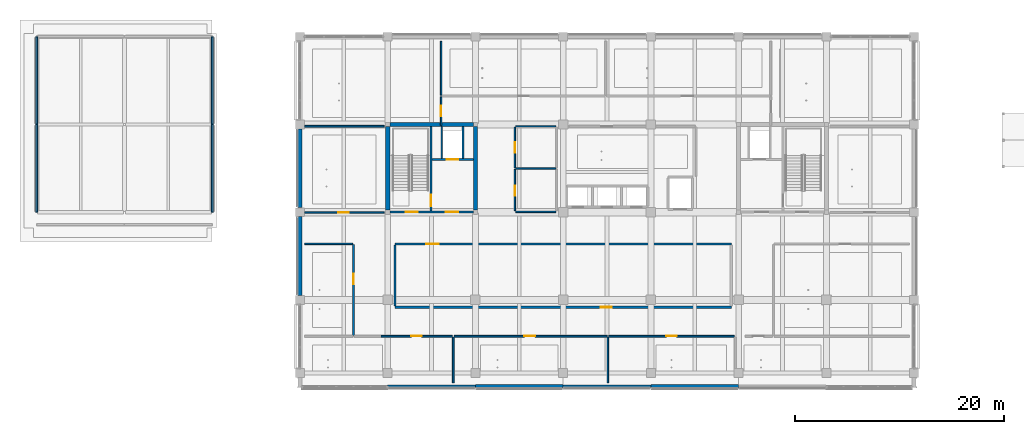
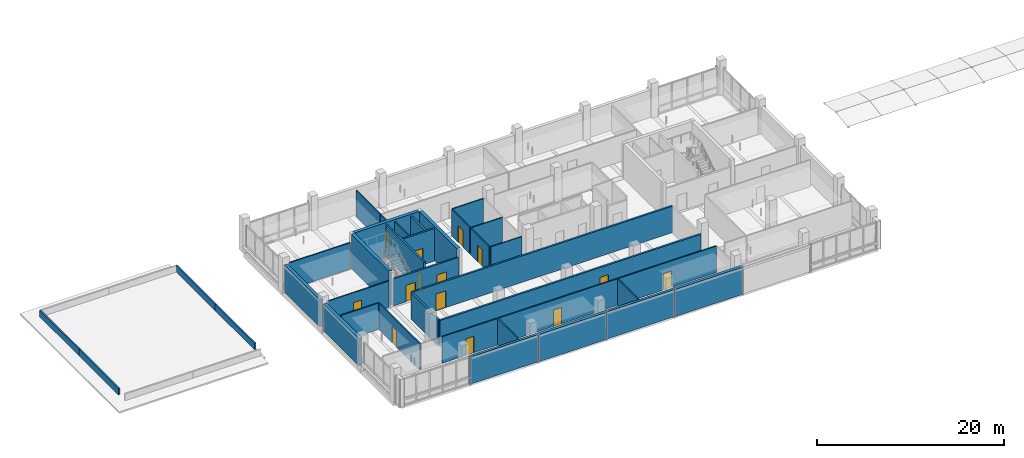
# One storey, part 12 of 39: 37 walls, 14 doors, 14 openings.
"""IFC4 building model written with IfcOpenShell, lengths in metres."""

from ifc_helpers import new_model, si_unit, direction, frame, frame_2d, origin, place, context, subcontext, project, spatial, rectangle, extrude, material, layer, layer_set, type_object, element, fill, save


model = new_model("IFC4")

# Units and contexts
model_context = context("Model", 3, precision=1e-05, world=origin(), true_north=direction((0.0, 1.0)))
body_context = subcontext(model_context, "Body", "Model", "MODEL_VIEW")
ifc_project = project(units=[si_unit("LENGTHUNIT", "METRE"), si_unit("AREAUNIT", "SQUARE_METRE"), si_unit("VOLUMEUNIT", "CUBIC_METRE"), si_unit("PLANEANGLEUNIT", "RADIAN"), si_unit("MASSUNIT", "GRAM", prefix="KILO")], contexts=[model_context])

# Site, building, storey
site_placement = place(None, origin())
site = spatial("IfcSite", under=ifc_project, at=site_placement, CompositionType="ELEMENT")
building_placement = place(site_placement, origin())
building = spatial("IfcBuilding", under=site, at=building_placement, Name="Telukmera Botanical Conservatory", CompositionType="ELEMENT")
storey_placement = place(building_placement, frame((0.0, 0.0, 19.5)))
storey = spatial("IfcBuildingStorey", under=building, at=storey_placement, Name="L04", CompositionType="ELEMENT", Elevation=19.5)

# Walls
ifc_material_1 = material(Name="Terracotta-faced precast concrete C40/50", Category="masonry")
ifc_layer_1 = layer(ifc_material_1, 0.3798828125)
ifc_layer_set_1 = layer_set([ifc_layer_1], Name="Terracotta-faced precast concrete C40/50")
wall_type_1 = type_object("IfcWallType", Name="Exterior Herbarium Vault Insulated Precast Wall 380", PredefinedType="SOLIDWALL", material=ifc_layer_set_1)
for number, where, z_axis, x_axis, name in (
    (1, (67.201904296875, 9.320068359375, 0.0), (0.0, 0.0, 1.0), (1.0, 0.0, 0.0), "Exterior Precast Wall EW04 V4:L04:S3"),
    (2, (84.001953125, 9.320068359375, 0.0), (0.0, 0.0, 1.0), (1.0, 0.0, 0.0), "Exterior Precast Wall EW04 V4:L04:S5"),
):
    element("IfcWall", number, at=place(storey_placement, frame(where, z_axis=z_axis, x_axis=x_axis)), inside=storey, type_object=wall_type_1, Name=name, PredefinedType="SOLIDWALL", context=body_context, shape_type="SweptSolid", body=[
        extrude(rectangle(XDim=8.39599609375, YDim=0.3798828125, at=frame_2d((4.197998046875, 0.0))), origin(), (0.0, 0.0, 1.0), 3.550048828125),
    ])
for number, where, z_axis, x_axis, name in (
    (3, (50.39990234375, 18.027099609375, 0.0), (0.0, 0.0, 1.0), (0.0, 1.0, 0.0), "Exterior Precast Wall EW04 V4:L04:W2"),
    (4, (50.39990234375, 26.427001953125, 0.0), (0.0, 0.0, 1.0), (0.0, 1.0, 0.0), "Exterior Precast Wall EW04 V4:L04:W3"),
):
    element("IfcWall", number, at=place(storey_placement, frame(where, z_axis=z_axis, x_axis=x_axis)), inside=storey, type_object=wall_type_1, Name=name, PredefinedType="SOLIDWALL", context=body_context, shape_type="SweptSolid", body=[
        extrude(rectangle(XDim=7.5458984375, YDim=0.3798828125, at=frame_2d((3.77294921875, 0.0))), origin(), (0.0, 0.0, 1.0), 3.550048828125),
    ])
ifc_layer_2 = layer(ifc_material_1, 0.300048828125)
ifc_layer_set_2 = layer_set([ifc_layer_2], Name="Terracotta-faced precast concrete C40/50")
wall_type_2 = type_object("IfcWallType", Name="Exterior Polychrome Terracotta Precast Wall 300", PredefinedType="SOLIDWALL", material=ifc_layer_set_2)
for number, where, z_axis, x_axis, name in (
    (5, (58.802001953125, 9.320068359375, 0.0), (0.0, 0.0, 1.0), (1.0, 0.0, 0.0), "Exterior Precast Wall EW02 V4:L04:S2"),
    (6, (75.60205078125, 9.320068359375, 0.0), (0.0, 0.0, 1.0), (1.0, 0.0, 0.0), "Exterior Precast Wall EW02 V4:L04:S4"),
):
    element("IfcWall", number, at=place(storey_placement, frame(where, z_axis=z_axis, x_axis=x_axis)), inside=storey, type_object=wall_type_2, Name=name, PredefinedType="SOLIDWALL", context=body_context, shape_type="SweptSolid", body=[
        extrude(rectangle(XDim=8.39599609375, YDim=0.300048828125, at=frame_2d((4.197998046875, 0.0))), origin(), (0.0, 0.0, 1.0), 3.550048828125),
    ])
ifc_layer_3 = layer(ifc_material_1, 0.179931640625)
ifc_layer_set_3 = layer_set([ifc_layer_3], Name="Terracotta-faced precast concrete C40/50")
wall_type_3 = type_object("IfcWallType", Name="Postmodern Polychrome Podium Parapet Wall 180", PredefinedType="PARAPET", material=ifc_layer_set_3)
for number, where, z_axis, x_axis, name in (
    (7, (25.199951171875, 26.001953125, 0.2099609375), (0.0, 0.0, 1.0), (0.0, 1.0, 0.0), "Stepped Roof Parapet PW02 V3:L04:W 1"),
    (8, (25.199951171875, 34.402099609375, 0.2099609375), (0.0, 0.0, 1.0), (0.0, 1.0, 0.0), "Stepped Roof Parapet PW02 V3:L04:W 2"),
    (9, (42.0, 26.001953125, 0.2099609375), (0.0, 0.0, 1.0), (0.0, 1.0, 0.0), "Stepped Roof Parapet PW02 V3:L04:E 1"),
    (10, (42.0, 34.402099609375, 0.2099609375), (0.0, 0.0, 1.0), (0.0, 1.0, 0.0), "Stepped Roof Parapet PW02 V3:L04:E 2"),
):
    element("IfcWall", number, at=place(storey_placement, frame(where, z_axis=z_axis, x_axis=x_axis)), inside=storey, type_object=wall_type_3, Name=name, PredefinedType="PARAPET", context=body_context, shape_type="SweptSolid", body=[
        extrude(rectangle(XDim=8.39599609375, YDim=0.179931640625, at=frame_2d((4.197998046875, 0.0))), origin(), (0.0, 0.0, 1.0), 0.840087890625),
    ])

# Wall, openings, doors
ifc_material_2 = material(Name="Concrete C40/50", Category="concrete")
ifc_layer_4 = layer(ifc_material_2, 0.199951171875)
ifc_layer_set_4 = layer_set([ifc_layer_4], Name="Concrete C40/50")
wall_type_4 = type_object("IfcWallType", Name="WT-CORE-200", PredefinedType="SOLIDWALL", material=ifc_layer_set_4)
wall_1_placement = place(storey_placement, frame((59.0, 26.0, 0.0), z_axis=(0.0, 0.0, 1.0), x_axis=(1.0, 0.0, 0.0)))
wall_1 = element("IfcWall", 11, at=wall_1_placement, inside=storey, type_object=wall_type_4, Name="L04 Core C1 South Fire Wall", PredefinedType="SOLIDWALL", context=body_context, shape_type="SweptSolid", body=[
    extrude(rectangle(XDim=8.0, YDim=0.199951171875, at=frame_2d((4.0, 0.0))), origin(), (0.0, 0.0, 1.0), 3.530029296875),
])
opening_1_placement = place(wall_1_placement, frame((1.550048828125, 0.0, 0.0)))
opening_1 = element("IfcOpeningElement", 12, at=opening_1_placement, cuts=wall_1, Name="Opening FD60A", PredefinedType="OPENING", context=body_context, shape_type="SweptSolid", body=[
    extrude(rectangle(XDim=1.14990234375, YDim=2.14990234375, at=frame_2d((0.574951171875, 1.074951171875))), frame((0.0, 0.10986328125, 0.0), z_axis=(0.0, -1.0, 0.0), x_axis=(1.0, 0.0, 0.0)), (0.0, 0.0, 1.0), 0.219970703125),
])
opening_2_placement = place(wall_1_placement, frame((5.35009765625, 0.0, 0.0)))
opening_2 = element("IfcOpeningElement", 13, at=opening_2_placement, cuts=wall_1, Name="Opening FD60C", PredefinedType="OPENING", context=body_context, shape_type="SweptSolid", body=[
    extrude(rectangle(XDim=1.219970703125, YDim=2.14990234375, at=frame_2d((0.60986328125, 1.074951171875))), frame((0.0, 0.10986328125, 0.0), z_axis=(0.0, -1.0, 0.0), x_axis=(1.0, 0.0, 0.0)), (0.0, 0.0, 1.0), 0.219970703125),
])
ifc_material_3 = material(Name="Hardwood fire door", Category="wood")
door_type_1 = type_object("IfcDoorType", Name="DT-FD60-01", OperationType="NOTDEFINED", PredefinedType="DOOR", material=ifc_material_3)
door_1_placement = place(opening_1_placement, origin())
door_1 = element("IfcDoor", 14, at=door_1_placement, inside=storey, type_object=door_type_1, Name="L04 Stair ST1 Escape Door", OperationType="SINGLE_SWING_LEFT", OverallHeight=2.14990234375, OverallWidth=1.14990234375, PredefinedType="DOOR", context=body_context, shape_type="SweptSolid", body=[
    extrude(rectangle(XDim=1.14990234375, YDim=2.14990234375, at=frame_2d((0.574951171875, 1.074951171875))), frame((0.0, 0.02490234375, 0.0), z_axis=(0.0, -1.0, 0.0), x_axis=(1.0, 0.0, 0.0)), (0.0, 0.0, 1.0), 0.050048828125),
])
fill(opening_1, door_1)
door_type_2 = type_object("IfcDoorType", Name="DT-FD60-03", OperationType="NOTDEFINED", PredefinedType="DOOR", material=ifc_material_3)
door_2_placement = place(opening_2_placement, origin())
door_2 = element("IfcDoor", 15, at=door_2_placement, inside=storey, type_object=door_type_2, Name="L04 Firefighting Lobby C1 Door", OperationType="SINGLE_SWING_RIGHT", OverallHeight=2.14990234375, OverallWidth=1.219970703125, PredefinedType="DOOR", context=body_context, shape_type="SweptSolid", body=[
    extrude(rectangle(XDim=1.219970703125, YDim=2.14990234375, at=frame_2d((0.60986328125, 1.074951171875))), frame((0.0, 0.02490234375, 0.0), z_axis=(0.0, -1.0, 0.0), x_axis=(1.0, 0.0, 0.0)), (0.0, 0.0, 1.0), 0.050048828125),
])
fill(opening_2, door_2)

# Wall, opening, door
wall_2_placement = place(storey_placement, frame((62.949951171875, 26.10009765625, 0.0), z_axis=(0.0, 0.0, 1.0), x_axis=(0.0, 1.0, 0.0)))
wall_2 = element("IfcWall", 16, at=wall_2_placement, inside=storey, type_object=wall_type_4, Name="L04 Core C1 Stair-Lobby Wall", PredefinedType="SOLIDWALL", context=body_context, shape_type="SweptSolid", body=[
    extrude(rectangle(XDim=8.099853515625, YDim=0.199951171875, at=frame_2d((4.0498046875, 0.0))), origin(), (0.0, 0.0, 1.0), 4.25),
])
opening_3_placement = place(wall_2_placement, frame((0.449951171875, 0.0, 0.0)))
opening_3 = element("IfcOpeningElement", 17, at=opening_3_placement, cuts=wall_2, Name="Opening FD60B", PredefinedType="OPENING", context=body_context, shape_type="SweptSolid", body=[
    extrude(rectangle(XDim=1.1201171875, YDim=2.14990234375, at=frame_2d((0.56005859375, 1.074951171875))), frame((0.0, 0.10986328125, 0.0), z_axis=(0.0, -1.0, 0.0), x_axis=(1.0, 0.0, 0.0)), (0.0, 0.0, 1.0), 0.219970703125),
])
door_type_3 = type_object("IfcDoorType", Name="DT-FD60-02", OperationType="NOTDEFINED", PredefinedType="DOOR", material=ifc_material_3)
door_3_placement = place(opening_3_placement, origin())
door_3 = element("IfcDoor", 18, at=door_3_placement, inside=storey, type_object=door_type_3, Name="L04 Firefighting Lobby C1 to ST1 Door", OperationType="SINGLE_SWING_LEFT", OverallHeight=2.14990234375, OverallWidth=1.1201171875, PredefinedType="DOOR", context=body_context, shape_type="SweptSolid", body=[
    extrude(rectangle(XDim=1.1201171875, YDim=2.14990234375, at=frame_2d((0.56005859375, 1.074951171875))), frame((0.0, 0.02490234375, 0.0), z_axis=(0.0, -1.0, 0.0), x_axis=(1.0, 0.0, 0.0)), (0.0, 0.0, 1.0), 0.050048828125),
])
fill(opening_3, door_3)

wall_3_placement = place(storey_placement, frame((63.050048828125, 31.050048828125, 0.0), z_axis=(0.0, 0.0, 1.0), x_axis=(1.0, 0.0, 0.0)))
wall_3 = element("IfcWall", 19, at=wall_3_placement, inside=storey, type_object=wall_type_4, Name="L04 Fire Lift FL1 Shaft Front Wall", PredefinedType="SOLIDWALL", context=body_context, shape_type="SweptSolid", body=[
    extrude(rectangle(XDim=3.949951171875, YDim=0.199951171875, at=frame_2d((1.97509765625, 0.0))), origin(), (0.0, 0.0, 1.0), 4.25),
])
opening_4_placement = place(wall_3_placement, frame((1.39990234375, 0.0, 0.0)))
opening_4 = element("IfcOpeningElement", 20, at=opening_4_placement, cuts=wall_3, Name="Opening LD01", PredefinedType="OPENING", context=body_context, shape_type="SweptSolid", body=[
    extrude(rectangle(XDim=1.10009765625, YDim=2.14990234375, at=frame_2d((0.550048828125, 1.074951171875))), frame((0.0, 0.10986328125, 0.0), z_axis=(0.0, -1.0, 0.0), x_axis=(1.0, 0.0, 0.0)), (0.0, 0.0, 1.0), 0.219970703125),
])
ifc_material_4 = material(Name="Stainless steel 316", Category="steel")
door_type_4 = type_object("IfcDoorType", Name="DT-LD01", OperationType="SLIDING_TO_LEFT", PredefinedType="DOOR", material=ifc_material_4)
door_4_placement = place(opening_4_placement, frame((1.10009765625, 0.0, 0.0), z_axis=(0.0, 0.0, 1.0), x_axis=(-1.0, 0.0, 0.0)))
door_4 = element("IfcDoor", 21, at=door_4_placement, inside=storey, type_object=door_type_4, Name="L04 Lift Landing Door FL1", OperationType="SLIDING_TO_LEFT", OverallHeight=2.14990234375, OverallWidth=1.10009765625, PredefinedType="DOOR", context=body_context, shape_type="SweptSolid", body=[
    extrude(rectangle(XDim=1.10009765625, YDim=2.14990234375, at=frame_2d((0.550048828125, 1.074951171875))), frame((0.0, 0.02490234375, 0.0), z_axis=(0.0, -1.0, 0.0), x_axis=(1.0, 0.0, 0.0)), (0.0, 0.0, 1.0), 0.050048828125),
])
fill(opening_4, door_4)

# Walls
wall_4_placement = place(storey_placement, frame((66.02001953125, 31.14990234375, 0.0), z_axis=(0.0, 0.0, 1.0), x_axis=(0.0, 1.0, 0.0)))
element("IfcWall", 22, at=wall_4_placement, inside=storey, type_object=wall_type_4, Name="L04 Fire Lift FL1 Shaft East Wall", PredefinedType="SOLIDWALL", context=body_context, shape_type="SweptSolid", body=[
    extrude(rectangle(XDim=3.050048828125, YDim=0.199951171875, at=frame_2d((1.52490234375, 0.0))), origin(), (0.0, 0.0, 1.0), 4.25),
])
ifc_material_5 = material(Name="Gypsum shaftwall liner")
ifc_layer_5 = layer(ifc_material_5, 0.110107421875)
ifc_layer_set_5 = layer_set([ifc_layer_5], Name="Gypsum shaftwall liner")
wall_type_5 = type_object("IfcWallType", Name="WT-RISER-110", PredefinedType="PARTITIONING", material=ifc_layer_set_5)
wall_5_placement = place(storey_placement, frame((63.97998046875, 31.14990234375, 0.0), z_axis=(0.0, 0.0, 1.0), x_axis=(0.0, 1.0, 0.0)))
element("IfcWall", 23, at=wall_5_placement, inside=storey, type_object=wall_type_5, Name="L04 Wet Riser C1 Shaft Wall", PredefinedType="PARTITIONING", context=body_context, shape_type="SweptSolid", body=[
    extrude(rectangle(XDim=3.050048828125, YDim=0.110107421875, at=frame_2d((1.52490234375, 0.0))), origin(), (0.0, 0.0, 1.0), 4.25),
])

# Wall, opening, door
ifc_material_6 = material(Name="Gypsum acoustic stud partition")
ifc_layer_6 = layer(ifc_material_6, 0.14990234375)
ifc_layer_set_6 = layer_set([ifc_layer_6], Name="Gypsum acoustic stud partition")
wall_type_6 = type_object("IfcWallType", Name="WT-STD-150", PredefinedType="PARTITIONING", material=ifc_layer_set_6)
wall_6_placement = place(storey_placement, frame((50.85498046875, 25.97509765625, 0.0), z_axis=(0.0, 0.0, 1.0), x_axis=(1.0, 0.0, 0.0)))
wall_6 = element("IfcWall", 24, at=wall_6_placement, inside=storey, type_object=wall_type_6, Name="L04 Interior Partition 09", PredefinedType="PARTITIONING", context=body_context, shape_type="SweptSolid", body=[
    extrude(rectangle(XDim=7.594970703125, YDim=0.14990234375, at=frame_2d((3.79736328125, 0.0))), origin(), (0.0, 0.0, 1.0), 3.449951171875),
])
opening_5_placement = place(wall_6_placement, frame((3.22314453125, 0.0, 0.0)))
opening_5 = element("IfcOpeningElement", 25, at=opening_5_placement, cuts=wall_6, Name="Opening ID14", PredefinedType="OPENING", context=body_context, shape_type="SweptSolid", body=[
    extrude(rectangle(XDim=1.0, YDim=2.14990234375, at=frame_2d((0.5, 1.074951171875))), frame((0.0, 0.0849609375, 0.0), z_axis=(0.0, -1.0, 0.0), x_axis=(1.0, 0.0, 0.0)), (0.0, 0.0, 1.0), 0.169921875),
])
ifc_material_7 = material(Name="Acoustic timber office door", Category="wood")
door_type_5 = type_object("IfcDoorType", Name="DT-WRT-100", OperationType="NOTDEFINED", PredefinedType="DOOR", material=ifc_material_7)
door_5_placement = place(opening_5_placement, origin())
door_5 = element("IfcDoor", 26, at=door_5_placement, inside=storey, type_object=door_type_5, Name="L04 Fern Taxonomy Curation Studio Door", OperationType="SINGLE_SWING_RIGHT", OverallHeight=2.14990234375, OverallWidth=1.0, PredefinedType="DOOR", context=body_context, shape_type="SweptSolid", body=[
    extrude(rectangle(XDim=1.0, YDim=2.14990234375, at=frame_2d((0.5, 1.074951171875))), frame((0.0, 0.02490234375, 0.0), z_axis=(0.0, -1.0, 0.0), x_axis=(1.0, 0.0, 0.0)), (0.0, 0.0, 1.0), 0.050048828125),
])
fill(opening_5, door_5)

# Walls
wall_7_placement = place(storey_placement, frame((50.85498046875, 34.22509765625, 0.0), z_axis=(0.0, 0.0, 1.0), x_axis=(1.0, 0.0, 0.0)))
element("IfcWall", 27, at=wall_7_placement, inside=storey, type_object=wall_type_6, Name="L04 Interior Partition 10", PredefinedType="PARTITIONING", context=body_context, shape_type="SweptSolid", body=[
    extrude(rectangle(XDim=7.594970703125, YDim=0.14990234375, at=frame_2d((3.79736328125, 0.0))), origin(), (0.0, 0.0, 1.0), 3.449951171875),
])
wall_8_placement = place(storey_placement, frame((50.85009765625, 22.97509765625, 0.0), z_axis=(0.0, 0.0, 1.0), x_axis=(1.0, 0.0, 0.0)))
element("IfcWall", 28, at=wall_8_placement, inside=storey, type_object=wall_type_6, Name="L04 Interior Partition 13", PredefinedType="PARTITIONING", context=body_context, shape_type="SweptSolid", body=[
    extrude(rectangle(XDim=4.599853515625, YDim=0.14990234375, at=frame_2d((2.2998046875, 0.0))), origin(), (0.0, 0.0, 1.0), 3.449951171875),
])

# Wall, opening, door
wall_9_placement = place(storey_placement, frame((55.52490234375, 14.199951171875, 0.0), z_axis=(0.0, 0.0, 1.0), x_axis=(0.0, 1.0, 0.0)))
wall_9 = element("IfcWall", 29, at=wall_9_placement, inside=storey, type_object=wall_type_6, Name="L04 Interior Partition 15", PredefinedType="PARTITIONING", context=body_context, shape_type="SweptSolid", body=[
    extrude(rectangle(XDim=8.68994140625, YDim=0.14990234375, at=frame_2d((4.344970703125, 0.0))), origin(), (0.0, 0.0, 1.0), 3.449951171875),
])
opening_6_placement = place(wall_9_placement, frame((4.8935546875, 0.0, 0.0)))
opening_6 = element("IfcOpeningElement", 30, at=opening_6_placement, cuts=wall_9, Name="Opening ID14", PredefinedType="OPENING", context=body_context, shape_type="SweptSolid", body=[
    extrude(rectangle(XDim=1.0, YDim=2.14990234375, at=frame_2d((0.5, 1.074951171875))), frame((0.0, 0.0849609375, 0.0), z_axis=(0.0, -1.0, 0.0), x_axis=(1.0, 0.0, 0.0)), (0.0, 0.0, 1.0), 0.169921875),
])
door_6_placement = place(opening_6_placement, origin())
door_6 = element("IfcDoor", 31, at=door_6_placement, inside=storey, type_object=door_type_5, Name="L04 West Herbarium Curation Studio Door", OperationType="SINGLE_SWING_RIGHT", OverallHeight=2.14990234375, OverallWidth=1.0, PredefinedType="DOOR", context=body_context, shape_type="SweptSolid", body=[
    extrude(rectangle(XDim=1.0, YDim=2.14990234375, at=frame_2d((0.5, 1.074951171875))), frame((0.0, 0.02490234375, 0.0), z_axis=(0.0, -1.0, 0.0), x_axis=(1.0, 0.0, 0.0)), (0.0, 0.0, 1.0), 0.050048828125),
])
fill(opening_6, door_6)

wall_10_placement = place(storey_placement, frame((58.159912109375, 14.125, 0.0), z_axis=(0.0, 0.0, 1.0), x_axis=(1.0, 0.0, 0.0)))
wall_10 = element("IfcWall", 32, at=wall_10_placement, inside=storey, type_object=wall_type_6, Name="L04 Interior Partition 19", PredefinedType="PARTITIONING", context=body_context, shape_type="SweptSolid", body=[
    extrude(rectangle(XDim=6.840087890625, YDim=0.14990234375, at=frame_2d((3.419921875, 0.0))), origin(), (0.0, 0.0, 1.0), 3.449951171875),
])
opening_7_placement = place(wall_10_placement, frame((2.919921875, 0.0, 0.0)))
opening_7 = element("IfcOpeningElement", 33, at=opening_7_placement, cuts=wall_10, Name="Opening ID14", PredefinedType="OPENING", context=body_context, shape_type="SweptSolid", body=[
    extrude(rectangle(XDim=1.0, YDim=2.14990234375, at=frame_2d((0.5, 1.074951171875))), frame((0.0, 0.0849609375, 0.0), z_axis=(0.0, -1.0, 0.0), x_axis=(1.0, 0.0, 0.0)), (0.0, 0.0, 1.0), 0.169921875),
])
door_7_placement = place(opening_7_placement, frame((1.0, 0.0, 0.0), z_axis=(0.0, 0.0, 1.0), x_axis=(-1.0, 0.0, 0.0)))
door_7 = element("IfcDoor", 34, at=door_7_placement, inside=storey, type_object=door_type_5, Name="L04 Herbarium Curation Studio Door", OperationType="SINGLE_SWING_RIGHT", OverallHeight=2.14990234375, OverallWidth=1.0, PredefinedType="DOOR", context=body_context, shape_type="SweptSolid", body=[
    extrude(rectangle(XDim=1.0, YDim=2.14990234375, at=frame_2d((0.5, 1.074951171875))), frame((0.0, 0.02490234375, 0.0), z_axis=(0.0, -1.0, 0.0), x_axis=(1.0, 0.0, 0.0)), (0.0, 0.0, 1.0), 0.050048828125),
])
fill(opening_7, door_7)

wall_11_placement = place(storey_placement, frame((65.14990234375, 14.125, 0.0), z_axis=(0.0, 0.0, 1.0), x_axis=(1.0, 0.0, 0.0)))
wall_11 = element("IfcWall", 35, at=wall_11_placement, inside=storey, type_object=wall_type_6, Name="L04 Interior Partition 20", PredefinedType="PARTITIONING", context=body_context, shape_type="SweptSolid", body=[
    extrude(rectangle(XDim=14.650146484375, YDim=0.14990234375, at=frame_2d((7.3251953125, 0.0))), origin(), (0.0, 0.0, 1.0), 3.449951171875),
])
opening_8_placement = place(wall_11_placement, frame((6.729736328125, 0.0, 0.0)))
opening_8 = element("IfcOpeningElement", 36, at=opening_8_placement, cuts=wall_11, Name="Opening ID13", PredefinedType="OPENING", context=body_context, shape_type="SweptSolid", body=[
    extrude(rectangle(XDim=1.0400390625, YDim=2.14990234375, at=frame_2d((0.52001953125, 1.074951171875))), frame((0.0, 0.0849609375, 0.0), z_axis=(0.0, -1.0, 0.0), x_axis=(1.0, 0.0, 0.0)), (0.0, 0.0, 1.0), 0.169921875),
])
ifc_material_8 = material(Name="Hardwood curation studio door", Category="wood")
door_type_6 = type_object("IfcDoorType", Name="DT-CUR-104", OperationType="NOTDEFINED", PredefinedType="DOOR", material=ifc_material_8)
door_8_placement = place(opening_8_placement, frame((1.0400390625, 0.0, 0.0), z_axis=(0.0, 0.0, 1.0), x_axis=(-1.0, 0.0, 0.0)))
door_8 = element("IfcDoor", 37, at=door_8_placement, inside=storey, type_object=door_type_6, Name="L04 Herbarium Digitization Studio Door", OperationType="SINGLE_SWING_LEFT", OverallHeight=2.14990234375, OverallWidth=1.0400390625, PredefinedType="DOOR", context=body_context, shape_type="SweptSolid", body=[
    extrude(rectangle(XDim=1.0400390625, YDim=2.14990234375, at=frame_2d((0.52001953125, 1.074951171875))), frame((0.0, 0.02490234375, 0.0), z_axis=(0.0, -1.0, 0.0), x_axis=(1.0, 0.0, 0.0)), (0.0, 0.0, 1.0), 0.050048828125),
])
fill(opening_8, door_8)

wall_12_placement = place(storey_placement, frame((79.949951171875, 14.125, 0.0), z_axis=(0.0, 0.0, 1.0), x_axis=(1.0, 0.0, 0.0)))
wall_12 = element("IfcWall", 38, at=wall_12_placement, inside=storey, type_object=wall_type_6, Name="L04 Interior Partition 21", PredefinedType="PARTITIONING", context=body_context, shape_type="SweptSolid", body=[
    extrude(rectangle(XDim=12.050048828125, YDim=0.14990234375, at=frame_2d((6.02490234375, 0.0))), origin(), (0.0, 0.0, 1.0), 3.449951171875),
])
opening_9_placement = place(wall_12_placement, frame((5.52490234375, 0.0, 0.0)))
opening_9 = element("IfcOpeningElement", 39, at=opening_9_placement, cuts=wall_12, Name="Opening ID14", PredefinedType="OPENING", context=body_context, shape_type="SweptSolid", body=[
    extrude(rectangle(XDim=1.0, YDim=2.14990234375, at=frame_2d((0.5, 1.074951171875))), frame((0.0, 0.0849609375, 0.0), z_axis=(0.0, -1.0, 0.0), x_axis=(1.0, 0.0, 0.0)), (0.0, 0.0, 1.0), 0.169921875),
])
door_9_placement = place(opening_9_placement, frame((1.0, 0.0, 0.0), z_axis=(0.0, 0.0, 1.0), x_axis=(-1.0, 0.0, 0.0)))
door_9 = element("IfcDoor", 40, at=door_9_placement, inside=storey, type_object=door_type_5, Name="L04 Specimen Mounting Studio Door", OperationType="SINGLE_SWING_RIGHT", OverallHeight=2.14990234375, OverallWidth=1.0, PredefinedType="DOOR", context=body_context, shape_type="SweptSolid", body=[
    extrude(rectangle(XDim=1.0, YDim=2.14990234375, at=frame_2d((0.5, 1.074951171875))), frame((0.0, 0.02490234375, 0.0), z_axis=(0.0, -1.0, 0.0), x_axis=(1.0, 0.0, 0.0)), (0.0, 0.0, 1.0), 0.050048828125),
])
fill(opening_9, door_9)

# Walls
for number, where, z_axis, x_axis, name in (
    (41, (65.074951171875, 9.64990234375, 0.0), (0.0, 0.0, 1.0), (0.0, 1.0, 0.0), "L04 Interior Partition 24"),
    (42, (79.875, 9.64990234375, 0.0), (0.0, 0.0, 1.0), (0.0, 1.0, 0.0), "L04 Interior Partition 25"),
):
    element("IfcWall", number, at=place(storey_placement, frame(where, z_axis=z_axis, x_axis=x_axis)), inside=storey, type_object=wall_type_6, Name=name, PredefinedType="PARTITIONING", context=body_context, shape_type="SweptSolid", body=[
        extrude(rectangle(XDim=4.39013671875, YDim=0.14990234375, at=frame_2d((2.195068359375, 0.0))), origin(), (0.0, 0.0, 1.0), 3.449951171875),
    ])

# Wall, opening, door
wall_13_placement = place(storey_placement, frame((63.925048828125, 34.300048828125, 0.0), z_axis=(0.0, 0.0, 1.0), x_axis=(0.0, 1.0, 0.0)))
wall_13 = element("IfcWall", 43, at=wall_13_placement, inside=storey, type_object=wall_type_6, Name="L04 Interior Partition 27", PredefinedType="PARTITIONING", context=body_context, shape_type="SweptSolid", body=[
    extrude(rectangle(XDim=2.75, YDim=0.14990234375, at=frame_2d((1.375, 0.0))), origin(), (0.0, 0.0, 1.0), 3.449951171875),
])
opening_10_placement = place(wall_13_placement, frame((0.875, 0.0, 0.0)))
opening_10 = element("IfcOpeningElement", 44, at=opening_10_placement, cuts=wall_13, Name="Opening ID14", PredefinedType="OPENING", context=body_context, shape_type="SweptSolid", body=[
    extrude(rectangle(XDim=1.0, YDim=2.14990234375, at=frame_2d((0.5, 1.074951171875))), frame((0.0, 0.0849609375, 0.0), z_axis=(0.0, -1.0, 0.0), x_axis=(1.0, 0.0, 0.0)), (0.0, 0.0, 1.0), 0.169921875),
])
door_10_placement = place(opening_10_placement, origin())
door_10 = element("IfcDoor", 45, at=door_10_placement, inside=storey, type_object=door_type_5, Name="L04 Pteridophyte Curation Studio Door", OperationType="SINGLE_SWING_RIGHT", OverallHeight=2.14990234375, OverallWidth=1.0, PredefinedType="DOOR", context=body_context, shape_type="SweptSolid", body=[
    extrude(rectangle(XDim=1.0, YDim=2.14990234375, at=frame_2d((0.5, 1.074951171875))), frame((0.0, 0.02490234375, 0.0), z_axis=(0.0, -1.0, 0.0), x_axis=(1.0, 0.0, 0.0)), (0.0, 0.0, 1.0), 0.050048828125),
])
fill(opening_10, door_10)

# Wall
wall_14_placement = place(storey_placement, frame((63.925048828125, 37.199951171875, 0.0), z_axis=(0.0, 0.0, 1.0), x_axis=(0.0, 1.0, 0.0)))
element("IfcWall", 46, at=wall_14_placement, inside=storey, type_object=wall_type_6, Name="L04 Interior Partition 31", PredefinedType="PARTITIONING", context=body_context, shape_type="SweptSolid", body=[
    extrude(rectangle(XDim=5.150146484375, YDim=0.14990234375, at=frame_2d((2.5751953125, 0.0))), origin(), (0.0, 0.0, 1.0), 3.449951171875),
])

# Wall, opening, door
ifc_layer_7 = layer(ifc_material_2, 0.219970703125)
ifc_layer_set_7 = layer_set([ifc_layer_7], Name="Concrete C40/50")
wall_type_7 = type_object("IfcWallType", Name="WT-VAULT-220", PredefinedType="SOLIDWALL", material=ifc_layer_set_7)
wall_15_placement = place(storey_placement, frame((59.5, 22.949951171875, 0.0), z_axis=(0.0, 0.0, 1.0), x_axis=(1.0, 0.0, 0.0)))
wall_15 = element("IfcWall", 47, at=wall_15_placement, inside=storey, type_object=wall_type_7, Name="L04 Herbarium Vault North 2hr Wall", PredefinedType="SOLIDWALL", context=body_context, shape_type="SweptSolid", body=[
    extrude(rectangle(XDim=32.199951171875, YDim=0.219970703125, at=frame_2d((16.10009765625, 0.0))), origin(), (0.0, 0.0, 1.0), 3.449951171875),
])
opening_11_placement = place(wall_15_placement, frame((3.0, 0.0, 0.0)))
opening_11 = element("IfcOpeningElement", 48, at=opening_11_placement, cuts=wall_15, Name="Opening FD120A", PredefinedType="OPENING", context=body_context, shape_type="SweptSolid", body=[
    extrude(rectangle(XDim=1.199951171875, YDim=2.199951171875, at=frame_2d((0.60009765625, 1.10009765625))), frame((0.0, 0.119873046875, 0.0), z_axis=(0.0, -1.0, 0.0), x_axis=(1.0, 0.0, 0.0)), (0.0, 0.0, 1.0), 0.239990234375),
])
ifc_material_9 = material(Name="Galvanised steel fire door", Category="steel")
door_type_7 = type_object("IfcDoorType", Name="DT-FD120-01", OperationType="NOTDEFINED", PredefinedType="DOOR", material=ifc_material_9)
door_11_placement = place(opening_11_placement, origin())
door_11 = element("IfcDoor", 49, at=door_11_placement, inside=storey, type_object=door_type_7, Name="L04 Herbarium Vault West FD120S Door", OperationType="SINGLE_SWING_LEFT", OverallHeight=2.199951171875, OverallWidth=1.199951171875, PredefinedType="DOOR", context=body_context, shape_type="SweptSolid", body=[
    extrude(rectangle(XDim=1.199951171875, YDim=2.199951171875, at=frame_2d((0.60009765625, 1.10009765625))), frame((0.0, 0.02490234375, 0.0), z_axis=(0.0, -1.0, 0.0), x_axis=(1.0, 0.0, 0.0)), (0.0, 0.0, 1.0), 0.050048828125),
])
fill(opening_11, door_11)

wall_16_placement = place(storey_placement, frame((59.5, 16.89990234375, 0.0), z_axis=(0.0, 0.0, 1.0), x_axis=(1.0, 0.0, 0.0)))
wall_16 = element("IfcWall", 50, at=wall_16_placement, inside=storey, type_object=wall_type_7, Name="L04 Herbarium Vault South 2hr Wall", PredefinedType="SOLIDWALL", context=body_context, shape_type="SweptSolid", body=[
    extrude(rectangle(XDim=32.199951171875, YDim=0.219970703125, at=frame_2d((16.10009765625, 0.0))), origin(), (0.0, 0.0, 1.0), 3.449951171875),
])
opening_12_placement = place(wall_16_placement, frame((19.699951171875, 0.0, 0.0)))
opening_12 = element("IfcOpeningElement", 51, at=opening_12_placement, cuts=wall_16, Name="Opening FD120B", PredefinedType="OPENING", context=body_context, shape_type="SweptSolid", body=[
    extrude(rectangle(XDim=1.050048828125, YDim=2.14990234375, at=frame_2d((0.52490234375, 1.074951171875))), frame((0.0, 0.119873046875, 0.0), z_axis=(0.0, -1.0, 0.0), x_axis=(1.0, 0.0, 0.0)), (0.0, 0.0, 1.0), 0.239990234375),
])
door_type_8 = type_object("IfcDoorType", Name="DT-FD120-02", OperationType="NOTDEFINED", PredefinedType="DOOR", material=ifc_material_9)
door_12_placement = place(opening_12_placement, frame((1.050048828125, 0.0, 0.0), z_axis=(0.0, 0.0, 1.0), x_axis=(-1.0, 0.0, 0.0)))
door_12 = element("IfcDoor", 52, at=door_12_placement, inside=storey, type_object=door_type_8, Name="L04 Herbarium Vault South FD120S Door", OperationType="SINGLE_SWING_RIGHT", OverallHeight=2.14990234375, OverallWidth=1.050048828125, PredefinedType="DOOR", context=body_context, shape_type="SweptSolid", body=[
    extrude(rectangle(XDim=1.050048828125, YDim=2.14990234375, at=frame_2d((0.52490234375, 1.074951171875))), frame((0.0, 0.02490234375, 0.0), z_axis=(0.0, -1.0, 0.0), x_axis=(1.0, 0.0, 0.0)), (0.0, 0.0, 1.0), 0.050048828125),
])
fill(opening_12, door_12)

# Wall
wall_17_placement = place(storey_placement, frame((59.5, 17.010009765625, 0.0), z_axis=(0.0, 0.0, 1.0), x_axis=(0.0, 1.0, 0.0)))
element("IfcWall", 53, at=wall_17_placement, inside=storey, type_object=wall_type_7, Name="L04 Herbarium Vault West 2hr Wall", PredefinedType="SOLIDWALL", context=body_context, shape_type="SweptSolid", body=[
    extrude(rectangle(XDim=5.830078125, YDim=0.219970703125, at=frame_2d((2.9150390625, 0.0))), origin(), (0.0, 0.0, 1.0), 3.449951171875),
])

# Wall, opening, door
ifc_material_10 = material(Name="Moisture-resistant blockwork", Category="masonry")
ifc_layer_8 = layer(ifc_material_10, 0.135009765625)
ifc_layer_set_8 = layer_set([ifc_layer_8], Name="Moisture-resistant blockwork")
wall_type_8 = type_object("IfcWallType", Name="WT-WC-135", PredefinedType="PARTITIONING", material=ifc_layer_set_8)
wall_18_placement = place(storey_placement, frame((70.97509765625, 26.14990234375, 0.0), z_axis=(0.0, 0.0, 1.0), x_axis=(0.0, 1.0, 0.0)))
wall_18 = element("IfcWall", 54, at=wall_18_placement, inside=storey, type_object=wall_type_8, Name="L04 Interior Partition 01", PredefinedType="PARTITIONING", context=body_context, shape_type="SweptSolid", body=[
    extrude(rectangle(XDim=3.9501953125, YDim=0.135009765625, at=frame_2d((1.97509765625, 0.0))), origin(), (0.0, 0.0, 1.0), 3.449951171875),
])
opening_13_placement = place(wall_18_placement, frame((1.440673828125, 0.0, 0.0)))
opening_13 = element("IfcOpeningElement", 55, at=opening_13_placement, cuts=wall_18, Name="Opening ID17", PredefinedType="OPENING", context=body_context, shape_type="SweptSolid", body=[
    extrude(rectangle(XDim=0.919921875, YDim=2.1201171875, at=frame_2d((0.4599609375, 1.06005859375))), frame((0.0, 0.077392578125, 0.0), z_axis=(0.0, -1.0, 0.0), x_axis=(1.0, 0.0, 0.0)), (0.0, 0.0, 1.0), 0.155029296875),
])
ifc_material_11 = material(Name="Moisture-resistant laminate WC door")
door_type_9 = type_object("IfcDoorType", Name="DT-WC-092", OperationType="NOTDEFINED", PredefinedType="DOOR", material=ifc_material_11)
door_13_placement = place(opening_13_placement, origin())
door_13 = element("IfcDoor", 56, at=door_13_placement, inside=storey, type_object=door_type_9, Name="L04 Public WC Door", OperationType="SINGLE_SWING_LEFT", OverallHeight=2.1201171875, OverallWidth=0.919921875, PredefinedType="DOOR", context=body_context, shape_type="SweptSolid", body=[
    extrude(rectangle(XDim=0.919921875, YDim=2.1201171875, at=frame_2d((0.4599609375, 1.06005859375))), frame((0.0, 0.02490234375, 0.0), z_axis=(0.0, -1.0, 0.0), x_axis=(1.0, 0.0, 0.0)), (0.0, 0.0, 1.0), 0.050048828125),
])
fill(opening_13, door_13)

wall_19_placement = place(storey_placement, frame((70.97509765625, 30.25, 0.0), z_axis=(0.0, 0.0, 1.0), x_axis=(0.0, 1.0, 0.0)))
wall_19 = element("IfcWall", 57, at=wall_19_placement, inside=storey, type_object=wall_type_8, Name="L04 Interior Partition 02", PredefinedType="PARTITIONING", context=body_context, shape_type="SweptSolid", body=[
    extrude(rectangle(XDim=3.89990234375, YDim=0.135009765625, at=frame_2d((1.949951171875, 0.0))), origin(), (0.0, 0.0, 1.0), 3.449951171875),
])
opening_14_placement = place(wall_19_placement, frame((1.4599609375, 0.0, 0.0)))
opening_14 = element("IfcOpeningElement", 58, at=opening_14_placement, cuts=wall_19, Name="Opening ID15", PredefinedType="OPENING", context=body_context, shape_type="SweptSolid", body=[
    extrude(rectangle(XDim=0.97998046875, YDim=2.14990234375, at=frame_2d((0.489990234375, 1.074951171875))), frame((0.0, 0.077392578125, 0.0), z_axis=(0.0, -1.0, 0.0), x_axis=(1.0, 0.0, 0.0)), (0.0, 0.0, 1.0), 0.155029296875),
])
ifc_material_12 = material(Name="Accessible sanitary laminate door")
door_type_10 = type_object("IfcDoorType", Name="DT-OKU-098", OperationType="NOTDEFINED", PredefinedType="DOOR", material=ifc_material_12)
door_14_placement = place(opening_14_placement, origin())
door_14 = element("IfcDoor", 59, at=door_14_placement, inside=storey, type_object=door_type_10, Name="L04 Accessible WC Door", OperationType="SINGLE_SWING_RIGHT", OverallHeight=2.14990234375, OverallWidth=0.97998046875, PredefinedType="DOOR", context=body_context, shape_type="SweptSolid", body=[
    extrude(rectangle(XDim=0.97998046875, YDim=2.14990234375, at=frame_2d((0.489990234375, 1.074951171875))), frame((0.0, 0.02490234375, 0.0), z_axis=(0.0, -1.0, 0.0), x_axis=(1.0, 0.0, 0.0)), (0.0, 0.0, 1.0), 0.050048828125),
])
fill(opening_14, door_14)

# Walls
for number, where, z_axis, x_axis, name in (
    (60, (71.050048828125, 30.175048828125, 0.0), (0.0, 0.0, 1.0), (1.0, 0.0, 0.0), "L04 Interior Partition 03"),
    (61, (71.050048828125, 26.02490234375, 0.0), (0.0, 0.0, 1.0), (1.0, 0.0, 0.0), "L04 Interior Partition 04"),
    (62, (71.050048828125, 34.22509765625, 0.0), (0.0, 0.0, 1.0), (1.0, 0.0, 0.0), "L04 Interior Partition 05"),
):
    element("IfcWall", number, at=place(storey_placement, frame(where, z_axis=z_axis, x_axis=x_axis)), inside=storey, type_object=wall_type_8, Name=name, PredefinedType="PARTITIONING", context=body_context, shape_type="SweptSolid", body=[
        extrude(rectangle(XDim=3.849853515625, YDim=0.135009765625, at=frame_2d((1.9248046875, 0.0))), origin(), (0.0, 0.0, 1.0), 3.449951171875),
    ])
ifc_material_13 = material(Name="Concrete C50/60", Category="concrete")
ifc_layer_9 = layer(ifc_material_13, 0.39990234375)
ifc_layer_set_9 = layer_set([ifc_layer_9], Name="Concrete C50/60")
wall_type_9 = type_object("IfcWallType", Name="Wall_CW1", PredefinedType="SHEAR", material=ifc_layer_set_9)
for number, where, z_axis, x_axis, name in (
    (63, (58.800048828125, 26.199951171875, 0.0), (0.0, 0.0, 1.0), (0.0, 1.0, 0.0), "Core C1 Shear Wall West L04"),
    (64, (67.199951171875, 26.199951171875, 0.0), (0.0, 0.0, 1.0), (0.0, 1.0, 0.0), "Core C1 Shear Wall East L04"),
    (65, (59.0, 34.39990234375, 0.0), (0.0, 0.0, 1.0), (1.0, 0.0, 0.0), "Core C1 Shear Wall North L04"),
):
    element("IfcWall", number, at=place(storey_placement, frame(where, z_axis=z_axis, x_axis=x_axis)), inside=storey, type_object=wall_type_9, Name=name, PredefinedType="SHEAR", context=body_context, shape_type="SweptSolid", body=[
        extrude(rectangle(XDim=8.0, YDim=0.39990234375, at=frame_2d((4.0, 0.0))), origin(), (0.0, 0.0, 1.0), 4.5),
    ])

save(model, "model.ifc")
